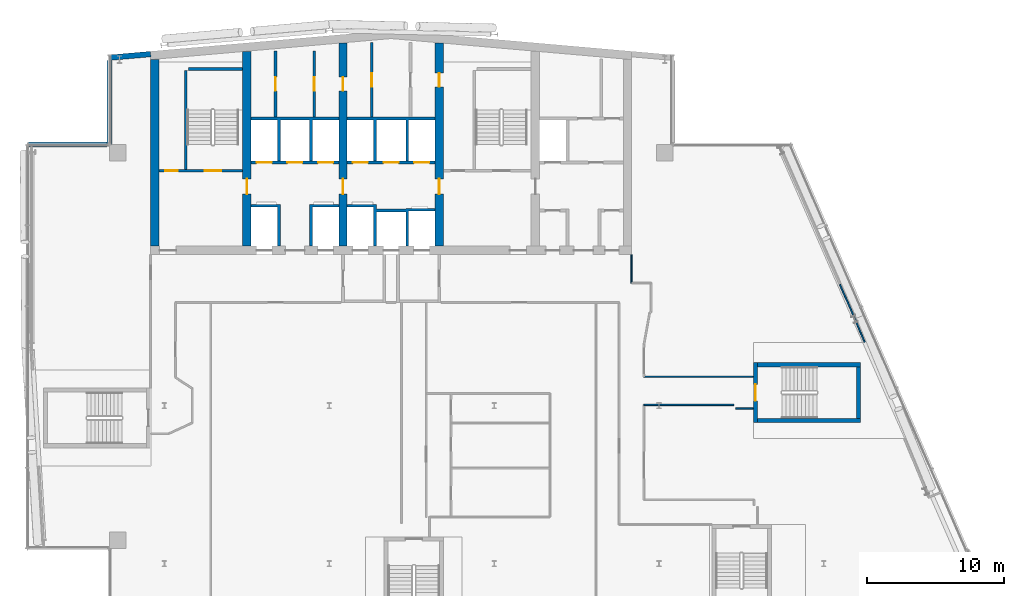
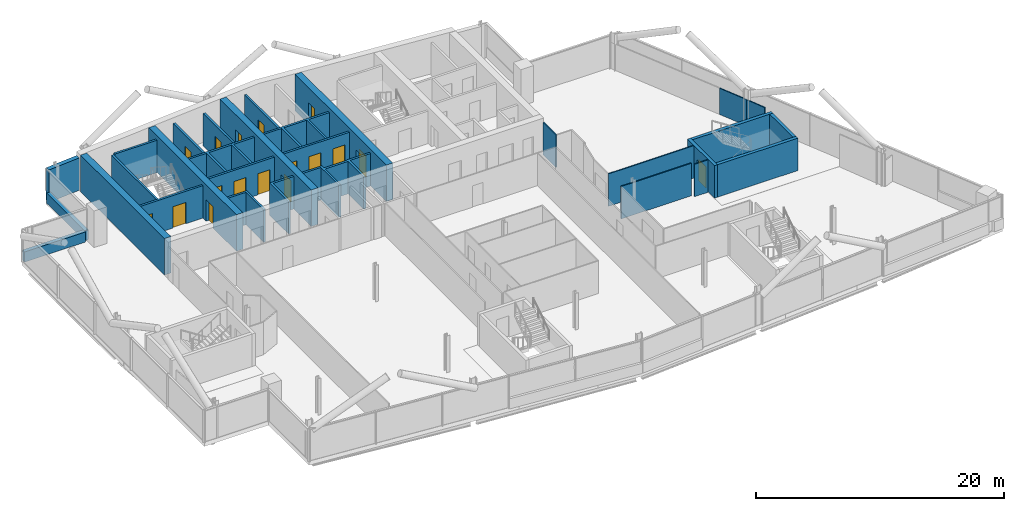
# One storey, part 17 of 25: 30 walls, 17 doors, 17 openings.
"""IFC4 building model written with IfcOpenShell, lengths in metres."""

from ifc_helpers import new_model, si_unit, direction, frame, frame_2d, origin, place, context, subcontext, project, spatial, polyline, rectangle, outline, extrude, material, layer, layer_set, type_object, element, fill, save


model = new_model("IFC4")

# Units and contexts
model_context = context("Model", 3, precision=1e-05, world=origin(), true_north=direction((0.0, 1.0)))
body_context = subcontext(model_context, "Body", "Model", "MODEL_VIEW")
ifc_project = project(units=[si_unit("LENGTHUNIT", "METRE"), si_unit("AREAUNIT", "SQUARE_METRE"), si_unit("VOLUMEUNIT", "CUBIC_METRE"), si_unit("PLANEANGLEUNIT", "RADIAN"), si_unit("MASSUNIT", "GRAM", prefix="KILO")], contexts=[model_context])

# Site, building, storey
site_placement = place(None, origin())
site = spatial("IfcSite", under=ifc_project, at=site_placement, CompositionType="ELEMENT")
building_placement = place(site_placement, origin())
building = spatial("IfcBuilding", under=site, at=building_placement, Name="Wharfspan Tower", CompositionType="ELEMENT")
storey_placement = place(building_placement, frame((0.0, 0.0, 239.5)))
storey = spatial("IfcBuildingStorey", under=building, at=storey_placement, Name="L60", CompositionType="ELEMENT", Elevation=239.5)

# Walls
ifc_material_1 = material(Name="Gypsum board on steel studs", Category="steel")
ifc_layer_1 = layer(ifc_material_1, 0.100098)
ifc_layer_set_1 = layer_set([ifc_layer_1], Name="Gypsum board on steel studs")
wall_type_1 = type_object("IfcWallType", Name="Compartment wall 100 EI 60", PredefinedType="PARTITIONING", material=ifc_layer_set_1)
wall_1_placement = place(storey_placement, frame((58.0, 31.925049, 0.0), z_axis=(0.0, 0.0, 1.0), x_axis=(0.0, 1.0, 0.0)))
element("IfcWall", 1, at=wall_1_placement, inside=storey, type_object=wall_type_1, Name="Partition L60.w028", PredefinedType="PARTITIONING", context=body_context, shape_type="SweptSolid", body=[
    extrude(rectangle(XDim=2.054932, YDim=0.100098, at=frame_2d((1.027344, 0.0))), origin(), (0.0, 0.0, 1.0), 3.199951),
])
wall_2_placement = place(storey_placement, frame((58.899902, 23.050049, 0.0), z_axis=(0.0, 0.0, 1.0), x_axis=(1.0, 0.0, 0.0)))
element("IfcWall", 2, at=wall_2_placement, inside=storey, type_object=wall_type_1, Name="Partition L60.w032", PredefinedType="PARTITIONING", context=body_context, shape_type="SweptSolid", body=[
    extrude(rectangle(XDim=6.550049, YDim=0.100098, at=frame_2d((3.274902, 0.0))), origin(), (0.0, 0.0, 1.0), 3.199951),
])
wall_3_placement = place(storey_placement, frame((58.899902, 25.100098, 0.0), z_axis=(0.0, 0.0, 1.0), x_axis=(1.0, 0.0, 0.0)))
element("IfcWall", 3, at=wall_3_placement, inside=storey, type_object=wall_type_1, Name="Partition L60.w034", PredefinedType="PARTITIONING", context=body_context, shape_type="SweptSolid", body=[
    extrude(rectangle(XDim=7.949707, YDim=0.100098, at=frame_2d((3.974854, 0.0))), origin(), (0.0, 0.0, 1.0), 3.199951),
])
wall_4_placement = place(storey_placement, frame((65.570068, 22.800049, 0.0), z_axis=(0.0, 0.0, 1.0), x_axis=(1.0, 0.0, 0.0)))
element("IfcWall", 4, at=wall_4_placement, inside=storey, type_object=wall_type_1, Name="Partition L60.w040", PredefinedType="PARTITIONING", context=body_context, shape_type="SweptSolid", body=[
    extrude(rectangle(XDim=1.279541, YDim=0.100098, at=frame_2d((0.639648, 0.0))), origin(), (0.0, 0.0, 1.0), 3.199951),
])

# Wall, opening, door
ifc_material_2 = material(Name="Calcium silicate masonry", Category="masonry")
ifc_layer_2 = layer(ifc_material_2, 0.199951)
ifc_layer_set_2 = layer_set([ifc_layer_2], Name="Calcium silicate masonry")
wall_type_2 = type_object("IfcWallType", Name="Core room wall 200", PredefinedType="PARTITIONING", material=ifc_layer_set_2)
wall_5_placement = place(storey_placement, frame((32.092041, 44.0, 0.0), z_axis=(0.0, 0.0, 1.0), x_axis=(0.0, 1.0, 0.0)))
wall_5 = element("IfcWall", 5, at=wall_5_placement, inside=storey, type_object=wall_type_2, Name="sw:L60:RP3.1", PredefinedType="PARTITIONING", context=body_context, shape_type="SweptSolid", body=[
    extrude(rectangle(XDim=4.803711, YDim=0.199951, at=frame_2d((2.401855, 0.0))), origin(), (0.0, 0.0, 1.0), 3.199951),
])
opening_1_placement = place(wall_5_placement, frame((1.901855, 0.0, 0.0)))
opening_1 = element("IfcOpeningElement", 6, at=opening_1_placement, cuts=wall_5, Name="Opening CD60.3P1", PredefinedType="OPENING", context=body_context, shape_type="SweptSolid", body=[
    extrude(rectangle(XDim=1.0, YDim=2.100098, at=frame_2d((0.5, 1.050049))), frame((0.0, 0.109863, 0.0), z_axis=(0.0, -1.0, 0.0), x_axis=(1.0, 0.0, 0.0)), (0.0, 0.0, 1.0), 0.219971),
])
ifc_material_3 = material(Name="Steel door leaf", Category="steel")
door_type_1 = type_object("IfcDoorType", Name="Core room door 1000x2100", OperationType="SINGLE_SWING_LEFT", PredefinedType="DOOR", material=ifc_material_3)
door_1_placement = place(opening_1_placement, origin())
door_1 = element("IfcDoor", 7, at=door_1_placement, inside=storey, type_object=door_type_1, Name="d:L60:3:rp1", OperationType="SINGLE_SWING_LEFT", OverallHeight=2.100098, OverallWidth=1.0, PredefinedType="DOOR", context=body_context, shape_type="SweptSolid", body=[
    extrude(rectangle(XDim=1.0, YDim=2.100098, at=frame_2d((0.5, 1.050049))), frame((0.0, 0.024902, 0.0), z_axis=(0.0, -1.0, 0.0), x_axis=(1.0, 0.0, 0.0)), (0.0, 0.0, 1.0), 0.050049),
])
fill(opening_1, door_1)

wall_6_placement = place(storey_placement, frame((34.907959, 44.0, 0.0), z_axis=(0.0, 0.0, 1.0), x_axis=(0.0, 1.0, 0.0)))
wall_6 = element("IfcWall", 8, at=wall_6_placement, inside=storey, type_object=wall_type_2, Name="sw:L60:RP3.2", PredefinedType="PARTITIONING", context=body_context, shape_type="SweptSolid", body=[
    extrude(rectangle(XDim=4.803711, YDim=0.199951, at=frame_2d((2.401855, 0.0))), origin(), (0.0, 0.0, 1.0), 3.199951),
])
opening_2_placement = place(wall_6_placement, frame((1.901855, 0.0, 0.0)))
opening_2 = element("IfcOpeningElement", 9, at=opening_2_placement, cuts=wall_6, Name="Opening CD60.3P2", PredefinedType="OPENING", context=body_context, shape_type="SweptSolid", body=[
    extrude(rectangle(XDim=1.0, YDim=2.100098, at=frame_2d((0.5, 1.050049))), frame((0.0, 0.109863, 0.0), z_axis=(0.0, -1.0, 0.0), x_axis=(1.0, 0.0, 0.0)), (0.0, 0.0, 1.0), 0.219971),
])
door_2_placement = place(opening_2_placement, origin())
door_2 = element("IfcDoor", 10, at=door_2_placement, inside=storey, type_object=door_type_1, Name="d:L60:3:rp2", OperationType="SINGLE_SWING_LEFT", OverallHeight=2.100098, OverallWidth=1.0, PredefinedType="DOOR", context=body_context, shape_type="SweptSolid", body=[
    extrude(rectangle(XDim=1.0, YDim=2.100098, at=frame_2d((0.5, 1.050049))), frame((0.0, 0.024902, 0.0), z_axis=(0.0, -1.0, 0.0), x_axis=(1.0, 0.0, 0.0)), (0.0, 0.0, 1.0), 0.050049),
])
fill(opening_2, door_2)

wall_7_placement = place(storey_placement, frame((39.092041, 44.0, 0.0), z_axis=(0.0, 0.0, 1.0), x_axis=(0.0, 1.0, 0.0)))
wall_7 = element("IfcWall", 11, at=wall_7_placement, inside=storey, type_object=wall_type_2, Name="sw:L60:RP4.1", PredefinedType="PARTITIONING", context=body_context, shape_type="SweptSolid", body=[
    extrude(rectangle(XDim=5.41626, YDim=0.199951, at=frame_2d((2.708008, 0.0))), origin(), (0.0, 0.0, 1.0), 3.199951),
])
opening_3_placement = place(wall_7_placement, frame((2.208008, 0.0, 0.0)))
opening_3 = element("IfcOpeningElement", 12, at=opening_3_placement, cuts=wall_7, Name="Opening CD60.4P1", PredefinedType="OPENING", context=body_context, shape_type="SweptSolid", body=[
    extrude(rectangle(XDim=1.0, YDim=2.100098, at=frame_2d((0.5, 1.050049))), frame((0.0, 0.109863, 0.0), z_axis=(0.0, -1.0, 0.0), x_axis=(1.0, 0.0, 0.0)), (0.0, 0.0, 1.0), 0.219971),
])
door_3_placement = place(opening_3_placement, origin())
door_3 = element("IfcDoor", 13, at=door_3_placement, inside=storey, type_object=door_type_1, Name="d:L60:4:rp1", OperationType="SINGLE_SWING_LEFT", OverallHeight=2.100098, OverallWidth=1.0, PredefinedType="DOOR", context=body_context, shape_type="SweptSolid", body=[
    extrude(rectangle(XDim=1.0, YDim=2.100098, at=frame_2d((0.5, 1.050049))), frame((0.0, 0.024902, 0.0), z_axis=(0.0, -1.0, 0.0), x_axis=(1.0, 0.0, 0.0)), (0.0, 0.0, 1.0), 0.050049),
])
fill(opening_3, door_3)

# Wall
ifc_material_4 = material(Name="Concrete C50/60", Category="concrete")
ifc_layer_3 = layer(ifc_material_4, 0.600098)
ifc_layer_set_3 = layer_set([ifc_layer_3], Name="Concrete C50/60")
wall_type_3 = type_object("IfcWallType", Name="Core wall 600 C50/60", PredefinedType="SHEAR", material=ifc_layer_set_3)
wall_8_placement = place(storey_placement, frame((23.300049, 34.600098, 0.0), z_axis=(0.0, 0.0, 1.0), x_axis=(0.0, 1.0, 0.0)))
element("IfcWall", 14, at=wall_8_placement, inside=storey, type_object=wall_type_3, Name="Core cross wall EW0 L60", PredefinedType="SHEAR", context=body_context, shape_type="SweptSolid", body=[
    extrude(rectangle(XDim=13.584961, YDim=0.600098, at=frame_2d((6.79248, 0.0))), origin(), (0.0, 0.0, 1.0), 3.600098),
])

# Wall, opening, door
wall_9_placement = place(storey_placement, frame((30.0, 34.600098, 0.0), z_axis=(0.0, 0.0, 1.0), x_axis=(0.0, 1.0, 0.0)))
wall_9 = element("IfcWall", 15, at=wall_9_placement, inside=storey, type_object=wall_type_3, Name="Core cross wall X3 L60", PredefinedType="SHEAR", context=body_context, shape_type="SweptSolid", body=[
    extrude(rectangle(XDim=14.171143, YDim=0.600098, at=frame_2d((7.085449, 0.0))), origin(), (0.0, 0.0, 1.0), 3.600098),
])
opening_4_placement = place(wall_9_placement, frame((3.800049, 0.0, 0.0)))
opening_4 = element("IfcOpeningElement", 16, at=opening_4_placement, cuts=wall_9, Name="Opening CC60.3", PredefinedType="OPENING", context=body_context, shape_type="SweptSolid", body=[
    extrude(rectangle(XDim=1.100098, YDim=2.100098, at=frame_2d((0.550049, 1.050049))), frame((0.0, 0.310059, 0.0), z_axis=(0.0, -1.0, 0.0), x_axis=(1.0, 0.0, 0.0)), (0.0, 0.0, 1.0), 0.620117),
])
door_type_2 = type_object("IfcDoorType", Name="Core corridor door 1100x2100", OperationType="SINGLE_SWING_LEFT", PredefinedType="DOOR", material=ifc_material_3)
door_4_placement = place(opening_4_placement, origin())
door_4 = element("IfcDoor", 17, at=door_4_placement, inside=storey, type_object=door_type_2, Name="xd:L60:3", OperationType="SINGLE_SWING_LEFT", OverallHeight=2.100098, OverallWidth=1.100098, PredefinedType="DOOR", context=body_context, shape_type="SweptSolid", body=[
    extrude(rectangle(XDim=1.100098, YDim=2.100098, at=frame_2d((0.550049, 1.050049))), frame((0.0, 0.024902, 0.0), z_axis=(0.0, -1.0, 0.0), x_axis=(1.0, 0.0, 0.0)), (0.0, 0.0, 1.0), 0.050049),
])
fill(opening_4, door_4)

# Wall, openings, doors
wall_10_placement = place(storey_placement, frame((37.0, 34.600098, 0.0), z_axis=(0.0, 0.0, 1.0), x_axis=(0.0, 1.0, 0.0)))
wall_10 = element("IfcWall", 18, at=wall_10_placement, inside=storey, type_object=wall_type_3, Name="Core cross wall X4 L60", PredefinedType="SHEAR", context=body_context, shape_type="SweptSolid", body=[
    extrude(rectangle(XDim=14.783691, YDim=0.600098, at=frame_2d((7.391846, 0.0))), origin(), (0.0, 0.0, 1.0), 3.600098),
])
opening_5_placement = place(wall_10_placement, frame((11.302002, 0.0, 0.0)))
opening_5 = element("IfcOpeningElement", 19, at=opening_5_placement, cuts=wall_10, Name="Opening CD60.3X", PredefinedType="OPENING", context=body_context, shape_type="SweptSolid", body=[
    extrude(rectangle(XDim=1.0, YDim=2.100098, at=frame_2d((0.5, 1.050049))), frame((0.0, 0.310059, 0.0), z_axis=(0.0, -1.0, 0.0), x_axis=(1.0, 0.0, 0.0)), (0.0, 0.0, 1.0), 0.620117),
])
opening_6_placement = place(wall_10_placement, frame((3.800049, 0.0, 0.0)))
opening_6 = element("IfcOpeningElement", 20, at=opening_6_placement, cuts=wall_10, Name="Opening CC60.4", PredefinedType="OPENING", context=body_context, shape_type="SweptSolid", body=[
    extrude(rectangle(XDim=1.100098, YDim=2.100098, at=frame_2d((0.550049, 1.050049))), frame((0.0, 0.310059, 0.0), z_axis=(0.0, -1.0, 0.0), x_axis=(1.0, 0.0, 0.0)), (0.0, 0.0, 1.0), 0.620117),
])
door_5_placement = place(opening_6_placement, origin())
door_5 = element("IfcDoor", 21, at=door_5_placement, inside=storey, type_object=door_type_2, Name="xd:L60:4", OperationType="SINGLE_SWING_RIGHT", OverallHeight=2.100098, OverallWidth=1.100098, PredefinedType="DOOR", context=body_context, shape_type="SweptSolid", body=[
    extrude(rectangle(XDim=1.100098, YDim=2.100098, at=frame_2d((0.550049, 1.050049))), frame((0.0, 0.024902, 0.0), z_axis=(0.0, -1.0, 0.0), x_axis=(1.0, 0.0, 0.0)), (0.0, 0.0, 1.0), 0.050049),
])
fill(opening_6, door_5)
door_6_placement = place(opening_5_placement, origin())
door_6 = element("IfcDoor", 22, at=door_6_placement, inside=storey, type_object=door_type_1, Name="d:L60:3:sx", OperationType="SINGLE_SWING_LEFT", OverallHeight=2.100098, OverallWidth=1.0, PredefinedType="DOOR", context=body_context, shape_type="SweptSolid", body=[
    extrude(rectangle(XDim=1.0, YDim=2.100098, at=frame_2d((0.5, 1.050049))), frame((0.0, 0.024902, 0.0), z_axis=(0.0, -1.0, 0.0), x_axis=(1.0, 0.0, 0.0)), (0.0, 0.0, 1.0), 0.050049),
])
fill(opening_5, door_6)

wall_11_placement = place(storey_placement, frame((44.0, 34.600098, 0.0), z_axis=(0.0, 0.0, 1.0), x_axis=(0.0, 1.0, 0.0)))
wall_11 = element("IfcWall", 23, at=wall_11_placement, inside=storey, type_object=wall_type_3, Name="Core cross wall X5 L60", PredefinedType="SHEAR", context=body_context, shape_type="SweptSolid", body=[
    extrude(rectangle(XDim=14.783691, YDim=0.600098, at=frame_2d((7.391846, 0.0))), origin(), (0.0, 0.0, 1.0), 3.600098),
])
opening_7_placement = place(wall_11_placement, frame((11.608154, 0.0, 0.0)))
opening_7 = element("IfcOpeningElement", 24, at=opening_7_placement, cuts=wall_11, Name="Opening CD60.4X", PredefinedType="OPENING", context=body_context, shape_type="SweptSolid", body=[
    extrude(rectangle(XDim=1.0, YDim=2.100098, at=frame_2d((0.5, 1.050049))), frame((0.0, 0.310059, 0.0), z_axis=(0.0, -1.0, 0.0), x_axis=(1.0, 0.0, 0.0)), (0.0, 0.0, 1.0), 0.620117),
])
opening_8_placement = place(wall_11_placement, frame((3.800049, 0.0, 0.0)))
opening_8 = element("IfcOpeningElement", 25, at=opening_8_placement, cuts=wall_11, Name="Opening CC60.5", PredefinedType="OPENING", context=body_context, shape_type="SweptSolid", body=[
    extrude(rectangle(XDim=1.100098, YDim=2.100098, at=frame_2d((0.550049, 1.050049))), frame((0.0, 0.310059, 0.0), z_axis=(0.0, -1.0, 0.0), x_axis=(1.0, 0.0, 0.0)), (0.0, 0.0, 1.0), 0.620117),
])
door_7_placement = place(opening_8_placement, origin())
door_7 = element("IfcDoor", 26, at=door_7_placement, inside=storey, type_object=door_type_2, Name="xd:L60:5", OperationType="SINGLE_SWING_LEFT", OverallHeight=2.100098, OverallWidth=1.100098, PredefinedType="DOOR", context=body_context, shape_type="SweptSolid", body=[
    extrude(rectangle(XDim=1.100098, YDim=2.100098, at=frame_2d((0.550049, 1.050049))), frame((0.0, 0.024902, 0.0), z_axis=(0.0, -1.0, 0.0), x_axis=(1.0, 0.0, 0.0)), (0.0, 0.0, 1.0), 0.050049),
])
fill(opening_8, door_7)
door_8_placement = place(opening_7_placement, origin())
door_8 = element("IfcDoor", 27, at=door_8_placement, inside=storey, type_object=door_type_1, Name="d:L60:4:sx", OperationType="SINGLE_SWING_LEFT", OverallHeight=2.100098, OverallWidth=1.0, PredefinedType="DOOR", context=body_context, shape_type="SweptSolid", body=[
    extrude(rectangle(XDim=1.0, YDim=2.100098, at=frame_2d((0.5, 1.050049))), frame((0.0, 0.024902, 0.0), z_axis=(0.0, -1.0, 0.0), x_axis=(1.0, 0.0, 0.0)), (0.0, 0.0, 1.0), 0.050049),
])
fill(opening_7, door_8)

ifc_material_5 = material(Name="Concrete C30/37", Category="concrete")
ifc_layer_4 = layer(ifc_material_5, 0.199951)
ifc_layer_set_4 = layer_set([ifc_layer_4], Name="Concrete C30/37")
wall_type_4 = type_object("IfcWallType", Name="Lift shaft wall 200", PredefinedType="PARTITIONING", material=ifc_layer_set_4)
wall_12_placement = place(storey_placement, frame((30.300049, 40.699951, 0.0), z_axis=(0.0, 0.0, 1.0), x_axis=(1.0, 0.0, 0.0)))
wall_12 = element("IfcWall", 28, at=wall_12_placement, inside=storey, type_object=wall_type_4, Name="sw:L60:RF3", PredefinedType="PARTITIONING", context=body_context, shape_type="SweptSolid", body=[
    extrude(rectangle(XDim=6.399902, YDim=0.199951, at=frame_2d((3.199951, 0.0))), origin(), (0.0, 0.0, 1.0), 3.199951),
])
opening_9_placement = place(wall_12_placement, frame((0.416748, 0.0, 0.0)))
opening_9 = element("IfcOpeningElement", 29, at=opening_9_placement, cuts=wall_12, Name="Opening LD.LB1.L60", PredefinedType="OPENING", context=body_context, shape_type="SweptSolid", body=[
    extrude(rectangle(XDim=1.100098, YDim=2.100098, at=frame_2d((0.550049, 1.050049))), frame((0.0, 0.109863, 0.0), z_axis=(0.0, -1.0, 0.0), x_axis=(1.0, 0.0, 0.0)), (0.0, 0.0, 1.0), 0.219971),
])
opening_10_placement = place(wall_12_placement, frame((2.649902, 0.0, 0.0)))
opening_10 = element("IfcOpeningElement", 30, at=opening_10_placement, cuts=wall_12, Name="Opening LD.LB2.L60", PredefinedType="OPENING", context=body_context, shape_type="SweptSolid", body=[
    extrude(rectangle(XDim=1.100098, YDim=2.100098, at=frame_2d((0.550049, 1.050049))), frame((0.0, 0.109863, 0.0), z_axis=(0.0, -1.0, 0.0), x_axis=(1.0, 0.0, 0.0)), (0.0, 0.0, 1.0), 0.219971),
])
opening_11_placement = place(wall_12_placement, frame((4.883301, 0.0, 0.0)))
opening_11 = element("IfcOpeningElement", 31, at=opening_11_placement, cuts=wall_12, Name="Opening LD.LB3.L60", PredefinedType="OPENING", context=body_context, shape_type="SweptSolid", body=[
    extrude(rectangle(XDim=1.100098, YDim=2.100098, at=frame_2d((0.550049, 1.050049))), frame((0.0, 0.109863, 0.0), z_axis=(0.0, -1.0, 0.0), x_axis=(1.0, 0.0, 0.0)), (0.0, 0.0, 1.0), 0.219971),
])
ifc_material_6 = material(Name="Stainless steel", Category="steel")
door_type_3 = type_object("IfcDoorType", Name="Lift landing door 1100x2100", OperationType="DOUBLE_DOOR_SLIDING", PredefinedType="DOOR", material=ifc_material_6)
door_9_placement = place(opening_9_placement, origin())
door_9 = element("IfcDoor", 32, at=door_9_placement, inside=storey, type_object=door_type_3, Name="Landing door LB1 L60", OperationType="DOUBLE_DOOR_SLIDING", OverallHeight=2.100098, OverallWidth=1.100098, PredefinedType="DOOR", context=body_context, shape_type="SweptSolid", body=[
    extrude(rectangle(XDim=1.100098, YDim=2.100098, at=frame_2d((0.550049, 1.050049))), frame((0.0, 0.024902, 0.0), z_axis=(0.0, -1.0, 0.0), x_axis=(1.0, 0.0, 0.0)), (0.0, 0.0, 1.0), 0.050049),
])
fill(opening_9, door_9)
door_10_placement = place(opening_10_placement, origin())
door_10 = element("IfcDoor", 33, at=door_10_placement, inside=storey, type_object=door_type_3, Name="Landing door LB2 L60", OperationType="DOUBLE_DOOR_SLIDING", OverallHeight=2.100098, OverallWidth=1.100098, PredefinedType="DOOR", context=body_context, shape_type="SweptSolid", body=[
    extrude(rectangle(XDim=1.100098, YDim=2.100098, at=frame_2d((0.550049, 1.050049))), frame((0.0, 0.024902, 0.0), z_axis=(0.0, -1.0, 0.0), x_axis=(1.0, 0.0, 0.0)), (0.0, 0.0, 1.0), 0.050049),
])
fill(opening_10, door_10)
door_11_placement = place(opening_11_placement, origin())
door_11 = element("IfcDoor", 34, at=door_11_placement, inside=storey, type_object=door_type_3, Name="Landing door LB3 L60", OperationType="DOUBLE_DOOR_SLIDING", OverallHeight=2.100098, OverallWidth=1.100098, PredefinedType="DOOR", context=body_context, shape_type="SweptSolid", body=[
    extrude(rectangle(XDim=1.100098, YDim=2.100098, at=frame_2d((0.550049, 1.050049))), frame((0.0, 0.024902, 0.0), z_axis=(0.0, -1.0, 0.0), x_axis=(1.0, 0.0, 0.0)), (0.0, 0.0, 1.0), 0.050049),
])
fill(opening_11, door_11)

# Walls
wall_13_placement = place(storey_placement, frame((0.0, 0.0, -0.000244)))
element("IfcWall", 35, at=wall_13_placement, inside=storey, type_object=wall_type_4, Name="sw:L60:FM3.0", PredefinedType="PARTITIONING", context=body_context, shape_type="SweptSolid", body=[
    extrude(outline(polyline([(32.233398, 37.449951), (30.300049, 37.449951), (30.300049, 37.649902), (32.233398, 37.649902), (32.43335, 37.649902), (32.43335, 34.600098), (32.233398, 34.600098), (32.233398, 37.449951)])), origin(), (0.0, 0.0, 1.0), 3.200195),
])
wall_14_placement = place(storey_placement, frame((0.0, 0.0, -0.000244)))
element("IfcWall", 36, at=wall_14_placement, inside=storey, type_object=wall_type_4, Name="sw:L60:FM3.1", PredefinedType="PARTITIONING", context=body_context, shape_type="SweptSolid", body=[
    extrude(outline(polyline([(34.56665, 37.649902), (34.766602, 37.649902), (36.699951, 37.649902), (36.699951, 37.449951), (34.766602, 37.449951), (34.766602, 34.600098), (34.56665, 34.600098), (34.56665, 37.649902)])), origin(), (0.0, 0.0, 1.0), 3.200195),
])
wall_15_placement = place(storey_placement, frame((0.0, 0.0, -0.000244)))
element("IfcWall", 37, at=wall_15_placement, inside=storey, type_object=wall_type_4, Name="sw:L60:RM3.0", PredefinedType="PARTITIONING", context=body_context, shape_type="SweptSolid", body=[
    extrude(outline(polyline([(32.43335, 40.800049), (32.233398, 40.800049), (32.233398, 43.800049), (30.300049, 43.800049), (30.300049, 44.0), (36.699951, 44.0), (36.699951, 43.800049), (34.766602, 43.800049), (34.766602, 40.800049), (34.56665, 40.800049), (34.56665, 43.800049), (32.43335, 43.800049), (32.43335, 40.800049)])), origin(), (0.0, 0.0, 1.0), 3.200195),
])

# Wall, openings, doors
wall_16_placement = place(storey_placement, frame((37.300049, 40.699951, 0.0), z_axis=(0.0, 0.0, 1.0), x_axis=(1.0, 0.0, 0.0)))
wall_16 = element("IfcWall", 38, at=wall_16_placement, inside=storey, type_object=wall_type_4, Name="sw:L60:RF4", PredefinedType="PARTITIONING", context=body_context, shape_type="SweptSolid", body=[
    extrude(rectangle(XDim=6.399902, YDim=0.199951, at=frame_2d((3.199951, 0.0))), origin(), (0.0, 0.0, 1.0), 3.199951),
])
opening_12_placement = place(wall_16_placement, frame((0.416748, 0.0, 0.0)))
opening_12 = element("IfcOpeningElement", 39, at=opening_12_placement, cuts=wall_16, Name="Opening LD.LB4.L60", PredefinedType="OPENING", context=body_context, shape_type="SweptSolid", body=[
    extrude(rectangle(XDim=1.100098, YDim=2.100098, at=frame_2d((0.550049, 1.050049))), frame((0.0, 0.109863, 0.0), z_axis=(0.0, -1.0, 0.0), x_axis=(1.0, 0.0, 0.0)), (0.0, 0.0, 1.0), 0.219971),
])
opening_13_placement = place(wall_16_placement, frame((2.649902, 0.0, 0.0)))
opening_13 = element("IfcOpeningElement", 40, at=opening_13_placement, cuts=wall_16, Name="Opening LD.LB5.L60", PredefinedType="OPENING", context=body_context, shape_type="SweptSolid", body=[
    extrude(rectangle(XDim=1.100098, YDim=2.100098, at=frame_2d((0.550049, 1.050049))), frame((0.0, 0.109863, 0.0), z_axis=(0.0, -1.0, 0.0), x_axis=(1.0, 0.0, 0.0)), (0.0, 0.0, 1.0), 0.219971),
])
opening_14_placement = place(wall_16_placement, frame((4.883301, 0.0, 0.0)))
opening_14 = element("IfcOpeningElement", 41, at=opening_14_placement, cuts=wall_16, Name="Opening LD.LB6.L60", PredefinedType="OPENING", context=body_context, shape_type="SweptSolid", body=[
    extrude(rectangle(XDim=1.100098, YDim=2.100098, at=frame_2d((0.550049, 1.050049))), frame((0.0, 0.109863, 0.0), z_axis=(0.0, -1.0, 0.0), x_axis=(1.0, 0.0, 0.0)), (0.0, 0.0, 1.0), 0.219971),
])
door_12_placement = place(opening_12_placement, origin())
door_12 = element("IfcDoor", 42, at=door_12_placement, inside=storey, type_object=door_type_3, Name="Landing door LB4 L60", OperationType="DOUBLE_DOOR_SLIDING", OverallHeight=2.100098, OverallWidth=1.100098, PredefinedType="DOOR", context=body_context, shape_type="SweptSolid", body=[
    extrude(rectangle(XDim=1.100098, YDim=2.100098, at=frame_2d((0.550049, 1.050049))), frame((0.0, 0.024902, 0.0), z_axis=(0.0, -1.0, 0.0), x_axis=(1.0, 0.0, 0.0)), (0.0, 0.0, 1.0), 0.050049),
])
fill(opening_12, door_12)
door_13_placement = place(opening_13_placement, origin())
door_13 = element("IfcDoor", 43, at=door_13_placement, inside=storey, type_object=door_type_3, Name="Landing door LB5 L60", OperationType="DOUBLE_DOOR_SLIDING", OverallHeight=2.100098, OverallWidth=1.100098, PredefinedType="DOOR", context=body_context, shape_type="SweptSolid", body=[
    extrude(rectangle(XDim=1.100098, YDim=2.100098, at=frame_2d((0.550049, 1.050049))), frame((0.0, 0.024902, 0.0), z_axis=(0.0, -1.0, 0.0), x_axis=(1.0, 0.0, 0.0)), (0.0, 0.0, 1.0), 0.050049),
])
fill(opening_13, door_13)
door_14_placement = place(opening_14_placement, origin())
door_14 = element("IfcDoor", 44, at=door_14_placement, inside=storey, type_object=door_type_3, Name="Landing door LB6 L60", OperationType="DOUBLE_DOOR_SLIDING", OverallHeight=2.100098, OverallWidth=1.100098, PredefinedType="DOOR", context=body_context, shape_type="SweptSolid", body=[
    extrude(rectangle(XDim=1.100098, YDim=2.100098, at=frame_2d((0.550049, 1.050049))), frame((0.0, 0.024902, 0.0), z_axis=(0.0, -1.0, 0.0), x_axis=(1.0, 0.0, 0.0)), (0.0, 0.0, 1.0), 0.050049),
])
fill(opening_14, door_14)

# Walls
wall_17_placement = place(storey_placement, frame((0.0, 0.0, -0.000244)))
element("IfcWall", 45, at=wall_17_placement, inside=storey, type_object=wall_type_4, Name="sw:L60:FM4.0", PredefinedType="PARTITIONING", context=body_context, shape_type="SweptSolid", body=[
    extrude(outline(polyline([(41.56665, 37.100098), (39.43335, 37.100098), (39.43335, 34.600098), (39.233398, 34.600098), (39.233398, 37.449951), (37.300049, 37.449951), (37.300049, 37.649902), (39.233398, 37.649902), (39.43335, 37.649902), (39.43335, 37.300049), (41.56665, 37.300049), (41.56665, 37.350098), (41.766602, 37.350098), (43.699951, 37.350098), (43.699951, 37.149902), (41.766602, 37.149902), (41.766602, 34.600098), (41.56665, 34.600098), (41.56665, 37.100098)])), origin(), (0.0, 0.0, 1.0), 3.200195),
])
wall_18_placement = place(storey_placement, frame((0.0, 0.0, -0.000244)))
element("IfcWall", 46, at=wall_18_placement, inside=storey, type_object=wall_type_4, Name="sw:L60:RM4.0", PredefinedType="PARTITIONING", context=body_context, shape_type="SweptSolid", body=[
    extrude(outline(polyline([(39.43335, 40.800049), (39.233398, 40.800049), (39.233398, 43.800049), (37.300049, 43.800049), (37.300049, 44.0), (43.699951, 44.0), (43.699951, 43.800049), (41.766602, 43.800049), (41.766602, 40.800049), (41.56665, 40.800049), (41.56665, 43.800049), (39.43335, 43.800049), (39.43335, 40.800049)])), origin(), (0.0, 0.0, 1.0), 3.200195),
])
ifc_layer_5 = layer(ifc_material_1, 0.100098)
ifc_layer_set_5 = layer_set([ifc_layer_5], Name="Gypsum board on steel studs")
wall_type_5 = type_object("IfcWallType", Name="Partition 100", PredefinedType="PARTITIONING", material=ifc_layer_set_5)
wall_19_placement = place(storey_placement, frame((74.264893, 29.310059, 0.0), z_axis=(0.0, 0.0, 1.0), x_axis=(-0.401346, 0.915924, 0.0)))
element("IfcWall", 47, at=wall_19_placement, inside=storey, type_object=wall_type_5, Name="Partition L60.w046", PredefinedType="PARTITIONING", context=body_context, shape_type="SweptSolid", body=[
    extrude(rectangle(XDim=2.740479, YDim=0.100098, at=frame_2d((1.370117, 0.0))), origin(), (0.0, 0.0, 1.0), 2.580078),
])
wall_20_placement = place(storey_placement, frame((74.961914, 27.620117, 0.0), z_axis=(0.0, 0.0, 1.0), x_axis=(-0.381293, 0.924452, 0.0)))
element("IfcWall", 48, at=wall_20_placement, inside=storey, type_object=wall_type_5, Name="Partition L60.w047", PredefinedType="PARTITIONING", context=body_context, shape_type="SweptSolid", body=[
    extrude(rectangle(XDim=1.828125, YDim=0.100098, at=frame_2d((0.914062, 0.0))), origin(), (0.0, 0.0, 1.0), 2.580078),
])
ifc_material_7 = material(Name="Concrete C40/50", Category="concrete")
ifc_layer_6 = layer(ifc_material_7, 0.350098)
ifc_layer_set_6 = layer_set([ifc_layer_6], Name="Concrete C40/50")
wall_type_6 = type_object("IfcWallType", Name="SPANDREL EXPOSED CONCRETE 350", PredefinedType="SOLIDWALL", material=ifc_layer_set_6)
wall_21_placement = place(storey_placement, frame((19.995117, 48.126465, 0.0), z_axis=(0.0, 0.0, 1.0), x_axis=(0.0, -1.0, 0.0)))
element("IfcWall", 49, at=wall_21_placement, inside=storey, type_object=wall_type_6, Name="Spandrel upstand L60 NRW-V", PredefinedType="SOLIDWALL", context=body_context, shape_type="SweptSolid", body=[
    extrude(rectangle(XDim=6.126465, YDim=0.350098, at=frame_2d((3.063232, 0.0))), origin(), (0.0, 0.0, 1.0), 1.0),
])
wall_22_placement = place(storey_placement, frame((19.820068, 42.004883, 0.0), z_axis=(0.0, 0.0, 1.0), x_axis=(-1.0, 0.0, 0.0)))
element("IfcWall", 50, at=wall_22_placement, inside=storey, type_object=wall_type_6, Name="Spandrel upstand L60 NRW-H", PredefinedType="SOLIDWALL", context=body_context, shape_type="SweptSolid", body=[
    extrude(rectangle(XDim=5.699951, YDim=0.350098, at=frame_2d((2.850098, 0.0))), origin(), (0.0, 0.0, 1.0), 1.0),
])

# Wall, opening, door
ifc_layer_7 = layer(ifc_material_7, 0.300049)
ifc_layer_set_7 = layer_set([ifc_layer_7], Name="Concrete C40/50")
wall_type_7 = type_object("IfcWallType", Name="Stair core wall 300", PredefinedType="SHEAR", material=ifc_layer_set_7)
wall_23_placement = place(storey_placement, frame((67.019531, 21.774902, 0.0), z_axis=(0.0, 0.0, 1.0), x_axis=(0.0, 1.0, 0.0)))
wall_23 = element("IfcWall", 51, at=wall_23_placement, inside=storey, type_object=wall_type_7, Name="ST6 stair enclosure wall L60", PredefinedType="SHEAR", context=body_context, shape_type="SweptSolid", body=[
    extrude(rectangle(XDim=4.350098, YDim=0.300049, at=frame_2d((2.175049, 0.0))), origin(), (0.0, 0.0, 1.0), 3.199951),
])
opening_15_placement = place(wall_23_placement, frame((1.574951, 0.0, 0.0)))
opening_15 = element("IfcOpeningElement", 52, at=opening_15_placement, cuts=wall_23, Name="Opening SD6.L60", PredefinedType="OPENING", context=body_context, shape_type="SweptSolid", body=[
    extrude(rectangle(XDim=1.199951, YDim=2.100098, at=frame_2d((0.600098, 1.050049))), frame((0.0, 0.159912, 0.0), z_axis=(0.0, -1.0, 0.0), x_axis=(1.0, 0.0, 0.0)), (0.0, 0.0, 1.0), 0.320068),
])
door_type_4 = type_object("IfcDoorType", Name="Stair door 1200x2100", OperationType="SINGLE_SWING_LEFT", PredefinedType="DOOR", material=ifc_material_3)
door_15_placement = place(opening_15_placement, origin())
door_15 = element("IfcDoor", 53, at=door_15_placement, inside=storey, type_object=door_type_4, Name="sd:L60:ST6z4", OperationType="SINGLE_SWING_RIGHT", OverallHeight=2.100098, OverallWidth=1.199951, PredefinedType="DOOR", context=body_context, shape_type="SweptSolid", body=[
    extrude(rectangle(XDim=1.199951, YDim=2.100098, at=frame_2d((0.600098, 1.050049))), frame((0.0, 0.024902, 0.0), z_axis=(0.0, -1.0, 0.0), x_axis=(1.0, 0.0, 0.0)), (0.0, 0.0, 1.0), 0.050049),
])
fill(opening_15, door_15)

# Walls
for number, where, z_axis, x_axis, name in (
    (54, (67.169678, 21.925049, 0.0), (0.0, 0.0, 1.0), (1.0, 0.0, 0.0), "ST6 stair enclosure wall L60"),
    (55, (67.169678, 25.975098, 0.0), (0.0, 0.0, 1.0), (1.0, 0.0, 0.0), "ST6 stair enclosure wall L60"),
):
    element("IfcWall", number, at=place(storey_placement, frame(where, z_axis=z_axis, x_axis=x_axis)), inside=storey, type_object=wall_type_7, Name=name, PredefinedType="SHEAR", context=body_context, shape_type="SweptSolid", body=[
        extrude(rectangle(XDim=7.5, YDim=0.300049, at=frame_2d((3.75, 0.0))), origin(), (0.0, 0.0, 1.0), 3.199951),
    ])
wall_24_placement = place(storey_placement, frame((74.519531, 22.074951, 0.0), z_axis=(0.0, 0.0, 1.0), x_axis=(0.0, 1.0, 0.0)))
element("IfcWall", 56, at=wall_24_placement, inside=storey, type_object=wall_type_7, Name="ST6 stair enclosure wall L60", PredefinedType="SHEAR", context=body_context, shape_type="SweptSolid", body=[
    extrude(rectangle(XDim=3.75, YDim=0.300049, at=frame_2d((1.875, 0.0))), origin(), (0.0, 0.0, 1.0), 3.199951),
])

# Wall, openings, doors
ifc_layer_8 = layer(ifc_material_7, 0.199951)
ifc_layer_set_8 = layer_set([ifc_layer_8], Name="Concrete C40/50")
wall_type_8 = type_object("IfcWallType", Name="Stair shaft wall 200", PredefinedType="SHEAR", material=ifc_layer_set_8)
wall_25_placement = place(storey_placement, frame((23.600098, 40.100098, 0.0), z_axis=(0.0, 0.0, 1.0), x_axis=(1.0, 0.0, 0.0)))
wall_25 = element("IfcWall", 57, at=wall_25_placement, inside=storey, type_object=wall_type_8, Name="ST1 stair enclosure wall L60", PredefinedType="SHEAR", context=body_context, shape_type="SweptSolid", body=[
    extrude(rectangle(XDim=6.099854, YDim=0.199951, at=frame_2d((3.049805, 0.0))), origin(), (0.0, 0.0, 1.0), 3.199951),
])
opening_16_placement = place(wall_25_placement, frame((3.324951, 0.0, 0.0)))
opening_16 = element("IfcOpeningElement", 58, at=opening_16_placement, cuts=wall_25, Name="Opening SD2.L60", PredefinedType="OPENING", context=body_context, shape_type="SweptSolid", body=[
    extrude(rectangle(XDim=1.199951, YDim=2.100098, at=frame_2d((0.600098, 1.050049))), frame((0.0, 0.109863, 0.0), z_axis=(0.0, -1.0, 0.0), x_axis=(1.0, 0.0, 0.0)), (0.0, 0.0, 1.0), 0.219971),
])
opening_17_placement = place(wall_25_placement, frame((0.475098, 0.0, 0.0)))
opening_17 = element("IfcOpeningElement", 59, at=opening_17_placement, cuts=wall_25, Name="Opening CD60.2R", PredefinedType="OPENING", context=body_context, shape_type="SweptSolid", body=[
    extrude(rectangle(XDim=0.899902, YDim=2.100098, at=frame_2d((0.449951, 1.050049))), frame((0.0, 0.109863, 0.0), z_axis=(0.0, -1.0, 0.0), x_axis=(1.0, 0.0, 0.0)), (0.0, 0.0, 1.0), 0.219971),
])
door_16_placement = place(opening_17_placement, origin())
door_16 = element("IfcDoor", 60, at=door_16_placement, inside=storey, type_object=door_type_1, Name="rk:L60:2", OperationType="SINGLE_SWING_LEFT", OverallHeight=2.100098, OverallWidth=0.899902, PredefinedType="DOOR", context=body_context, shape_type="SweptSolid", body=[
    extrude(rectangle(XDim=0.899902, YDim=2.100098, at=frame_2d((0.449951, 1.050049))), frame((0.0, 0.024902, 0.0), z_axis=(0.0, -1.0, 0.0), x_axis=(1.0, 0.0, 0.0)), (0.0, 0.0, 1.0), 0.050049),
])
fill(opening_17, door_16)
door_17_placement = place(opening_16_placement, origin())
door_17 = element("IfcDoor", 61, at=door_17_placement, inside=storey, type_object=door_type_4, Name="sd:L60:2", OperationType="SINGLE_SWING_RIGHT", OverallHeight=2.100098, OverallWidth=1.199951, PredefinedType="DOOR", context=body_context, shape_type="SweptSolid", body=[
    extrude(rectangle(XDim=1.199951, YDim=2.100098, at=frame_2d((0.600098, 1.050049))), frame((0.0, 0.024902, 0.0), z_axis=(0.0, -1.0, 0.0), x_axis=(1.0, 0.0, 0.0)), (0.0, 0.0, 1.0), 0.050049),
])
fill(opening_16, door_17)

# Walls
wall_26_placement = place(storey_placement, frame((25.550049, 40.199951, 0.0), z_axis=(0.0, 0.0, 1.0), x_axis=(0.0, 1.0, 0.0)))
element("IfcWall", 62, at=wall_26_placement, inside=storey, type_object=wall_type_8, Name="ST1 stair enclosure wall L60", PredefinedType="SHEAR", context=body_context, shape_type="SweptSolid", body=[
    extrude(rectangle(XDim=7.199951, YDim=0.199951, at=frame_2d((3.600098, 0.0))), origin(), (0.0, 0.0, 1.0), 3.199951),
])
wall_27_placement = place(storey_placement, frame((25.75, 47.5, 0.0), z_axis=(0.0, 0.0, 1.0), x_axis=(1.0, 0.0, 0.0)))
element("IfcWall", 63, at=wall_27_placement, inside=storey, type_object=wall_type_8, Name="ST1 stair enclosure wall L60", PredefinedType="SHEAR", context=body_context, shape_type="SweptSolid", body=[
    extrude(rectangle(XDim=3.949951, YDim=0.199951, at=frame_2d((1.975098, 0.0))), origin(), (0.0, 0.0, 1.0), 3.199951),
])
ifc_layer_9 = layer(ifc_material_7, 0.399902)
ifc_layer_set_9 = layer_set([ifc_layer_9], Name="Concrete C40/50")
wall_type_9 = type_object("IfcWallType", Name="WALL EXPOSED CONCRETE 400", PredefinedType="SOLIDWALL", material=ifc_layer_set_9)
wall_28_placement = place(storey_placement, frame((23.0, 48.58667, 0.0), z_axis=(0.0, 0.0, 1.0), x_axis=(-0.996194, -0.087168, 0.0)))
element("IfcWall", 64, at=wall_28_placement, inside=storey, type_object=wall_type_9, Name="Rear wall N1", PredefinedType="SOLIDWALL", context=body_context, shape_type="SweptSolid", body=[
    extrude(rectangle(XDim=2.994141, YDim=0.399902, at=frame_2d((1.49707, 0.0))), origin(), (0.0, 0.0, 1.0), 3.199951),
])

save(model, "model.ifc")
